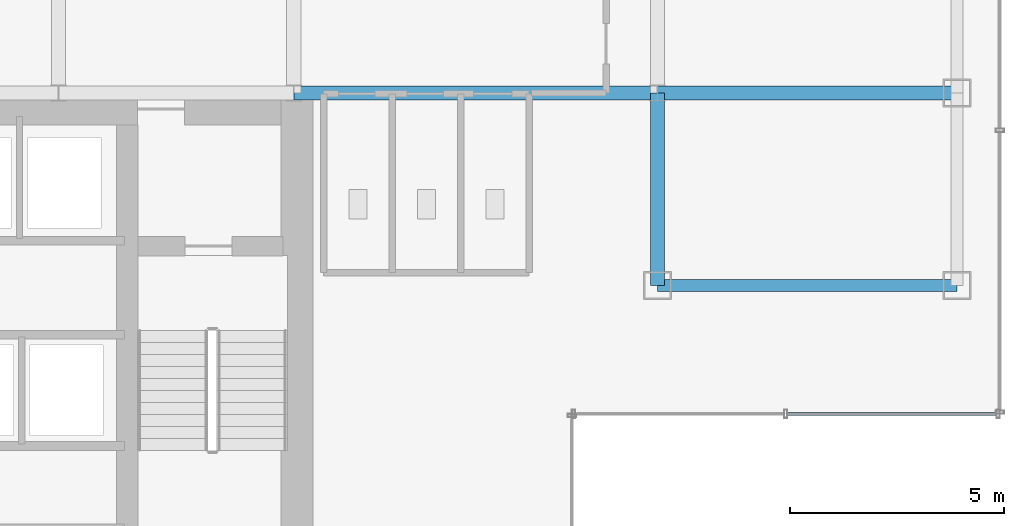
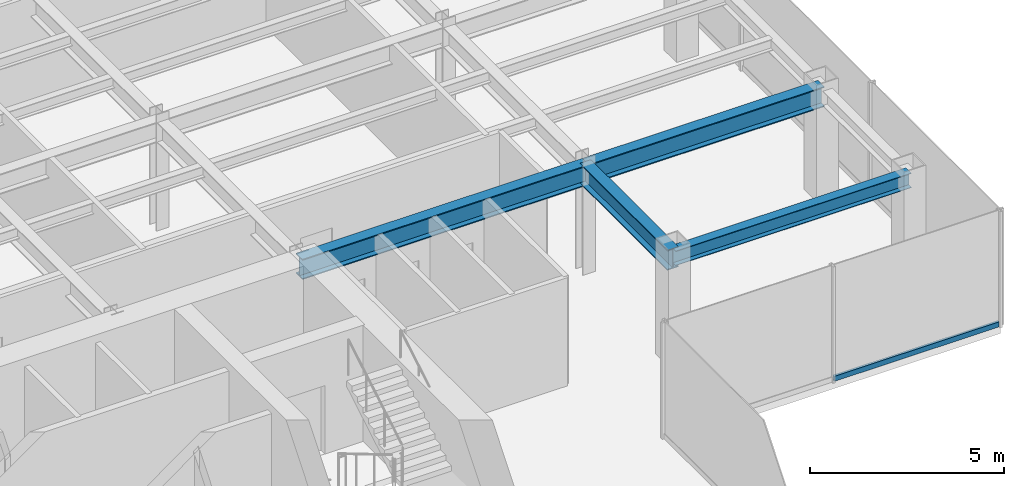
# One storey, part 10 of 25: 4 beams, 1 member, 1 element without a shape of its own.
"""IFC4 building model written with IfcOpenShell, lengths in metres."""

from ifc_helpers import new_model, si_unit, derived_unit, direction, frame, origin, origin_2d, place, context, subcontext, project, spatial, hollow_rectangle, i_section, extrude, source, transform, mapped, material, material_profile, profile_set, type_object, element, aggregate, save


model = new_model("IFC4")

# Units and contexts
model_context = context("Model", 3, precision=1e-05, world=origin(), true_north=direction((0.0, 1.0)))
body_context = subcontext(model_context, "Body", "Model", "MODEL_VIEW")
ifc_project = project(units=[si_unit("LENGTHUNIT", "METRE"), si_unit("AREAUNIT", "SQUARE_METRE"), si_unit("VOLUMEUNIT", "CUBIC_METRE"), si_unit("PLANEANGLEUNIT", "RADIAN"), si_unit("MASSUNIT", "GRAM", prefix="KILO"), derived_unit("THERMALTRANSMITTANCEUNIT", [(si_unit("POWERUNIT", "WATT"), 1), (si_unit("LENGTHUNIT", "METRE"), -2), (si_unit("THERMODYNAMICTEMPERATUREUNIT", "KELVIN"), -1)])], contexts=[model_context])

# Site, building, storey
site_placement = place(None, origin())
site = spatial("IfcSite", under=ifc_project, at=site_placement, CompositionType="ELEMENT")
building_placement = place(site_placement, origin())
building = spatial("IfcBuilding", under=site, at=building_placement, Name="Skarnbrae Concourse Arena and Tower", CompositionType="ELEMENT")
storey_placement = place(building_placement, frame((0.0, 0.0, 144.25)))
storey = spatial("IfcBuildingStorey", under=building, at=storey_placement, Name="L36", CompositionType="ELEMENT", Elevation=144.25)

# Beams
ifc_material_1 = material(Name="Steel CSA G40.21 350W", Category="steel")
ifc_material_profile_1 = material_profile(ifc_material_1, i_section(OverallWidth=0.280029296875, OverallDepth=0.462890625, WebThickness=0.0107421875, FlangeThickness=0.017333984375, at=origin_2d()), Name="W460X113")
ifc_profile_set_1 = profile_set([ifc_material_profile_1], Name="Steel CSA G40.21 350W")
beam_type_1 = type_object("IfcBeamType", Name="BM-SPAN-W460X113", PredefinedType="SPANDREL", material=ifc_profile_set_1)
shared_shape_1 = source(origin(), body_context, "Body", "SweptSolid", [
    extrude(i_section(OverallWidth=0.280029296875, OverallDepth=0.462890625, WebThickness=0.0107421875, FlangeThickness=0.017333984375, at=origin_2d()), origin(), (0.0, 0.0, 1.0), 7.0),
])
beam_1_placement = place(storey_placement, frame((42.0, 9.5, 3.16845703125), z_axis=(1.0, 0.0, 0.0), x_axis=(0.0, 1.0, 0.0)))
element("IfcBeam", 1, at=beam_1_placement, inside=storey, type_object=beam_type_1, Name="L36 Perimeter spandrel Y9.5-2", PredefinedType="SPANDREL", context=body_context, shape_type="MappedRepresentation", body=[
    mapped(shared_shape_1, transform((0.0, 0.0, 0.0))),
])
ifc_material_profile_2 = material_profile(ifc_material_1, i_section(OverallWidth=0.3291015625, OverallDepth=0.635009765625, WebThickness=0.017822265625, FlangeThickness=0.031005859375, at=origin_2d()), Name="W610X241")
ifc_profile_set_2 = profile_set([ifc_material_profile_2], Name="Steel CSA G40.21 350W")
beam_type_2 = type_object("IfcBeamType", Name="BM-GIRD-W610X241", PredefinedType="BEAM", material=ifc_profile_set_2)
shared_shape_2 = source(origin(), body_context, "Body", "SweptSolid", [
    extrude(i_section(OverallWidth=0.3291015625, OverallDepth=0.635009765625, WebThickness=0.017822265625, FlangeThickness=0.031005859375, at=origin_2d()), origin(), (0.0, 0.0, 1.0), 8.5),
])
beam_2_placement = place(storey_placement, frame((33.5, 14.0, 3.08251953125), z_axis=(1.0, 0.0, 0.0), x_axis=(0.0, 1.0, 0.0)))
element("IfcBeam", 2, at=beam_2_placement, inside=storey, type_object=beam_type_2, Name="L36 Primary E-W girder Y14.0-6", PredefinedType="BEAM", context=body_context, shape_type="MappedRepresentation", body=[
    mapped(shared_shape_2, transform((0.0, 0.0, 0.0))),
])
shared_shape_3 = source(origin(), body_context, "Body", "SweptSolid", [
    extrude(i_section(OverallWidth=0.3291015625, OverallDepth=0.635009765625, WebThickness=0.017822265625, FlangeThickness=0.031005859375, at=origin_2d()), origin(), (0.0, 0.0, 1.0), 7.0),
])
beam_3_placement = place(storey_placement, frame((42.0, 14.0, 3.08251953125), z_axis=(1.0, 0.0, 0.0), x_axis=(0.0, 1.0, 0.0)))
element("IfcBeam", 3, at=beam_3_placement, inside=storey, type_object=beam_type_2, Name="L36 Primary E-W girder Y14.0-7", PredefinedType="BEAM", context=body_context, shape_type="MappedRepresentation", body=[
    mapped(shared_shape_3, transform((0.0, 0.0, 0.0))),
])
shared_shape_4 = source(origin(), body_context, "Body", "SweptSolid", [
    extrude(i_section(OverallWidth=0.3291015625, OverallDepth=0.635009765625, WebThickness=0.017822265625, FlangeThickness=0.031005859375, at=origin_2d()), origin(), (0.0, 0.0, 1.0), 4.5),
])
beam_4_placement = place(storey_placement, frame((42.0, 9.5, 3.08251953125), z_axis=(0.0, 1.0, 0.0), x_axis=(-1.0, 0.0, 0.0)))
element("IfcBeam", 4, at=beam_4_placement, inside=storey, type_object=beam_type_2, Name="L36 Primary N-S girder X42.0-1", PredefinedType="BEAM", context=body_context, shape_type="MappedRepresentation", body=[
    mapped(shared_shape_4, transform((0.0, 0.0, 0.0))),
])

# Curtain wall, member
ifc_material_2 = material(Name="Bronze anodised aluminium 6063-T6", Category="aluminium")
curtain_wall_type = type_object("IfcCurtainWallType", Name="CW-SYS-04-MIDZONE", PredefinedType="USERDEFINED", material=ifc_material_2)
curtain_wall_placement = place(storey_placement, origin())
curtain_wall = element("IfcCurtainWall", 5, at=curtain_wall_placement, inside=storey, type_object=curtain_wall_type, Name="L36 Unitised curtain wall CW-L36-E03", ObjectType="UNITISED CURTAIN WALL", PredefinedType="USERDEFINED")
ifc_material_profile_3 = material_profile(ifc_material_2, hollow_rectangle(XDim=0.074951171875, YDim=0.159912109375, WallThickness=0.00439453125, at=origin_2d()), Name="ALU-TRAN-75X160")
ifc_profile_set_3 = profile_set([ifc_material_profile_3], Name="Bronze anodised aluminium 6063-T6")
member_type = type_object("IfcMemberType", Name="CWT-CW-04", PredefinedType="USERDEFINED", material=ifc_profile_set_3)
shared_shape_5 = source(origin(), body_context, "Body", "SweptSolid", [
    extrude(hollow_rectangle(XDim=0.074951171875, YDim=0.159912109375, WallThickness=0.00439453125, at=origin_2d()), origin(), (0.0, 0.0, 1.0), 4.887451171875),
])
member_placement = place(storey_placement, frame((45.03759765625, 6.5, 0.080078125), z_axis=(1.0, 0.0, 0.0), x_axis=(0.0, 1.0, 0.0)))
member = element("IfcMember", 6, at=member_placement, type_object=member_type, Name="CW-L36-E03 Transom 2", ObjectType="TRANSOM", PredefinedType="USERDEFINED", context=body_context, shape_type="MappedRepresentation", body=[
    mapped(shared_shape_5, transform((0.0, 0.0, 0.0))),
])
aggregate(curtain_wall, [member])

save(model, "model.ifc")
